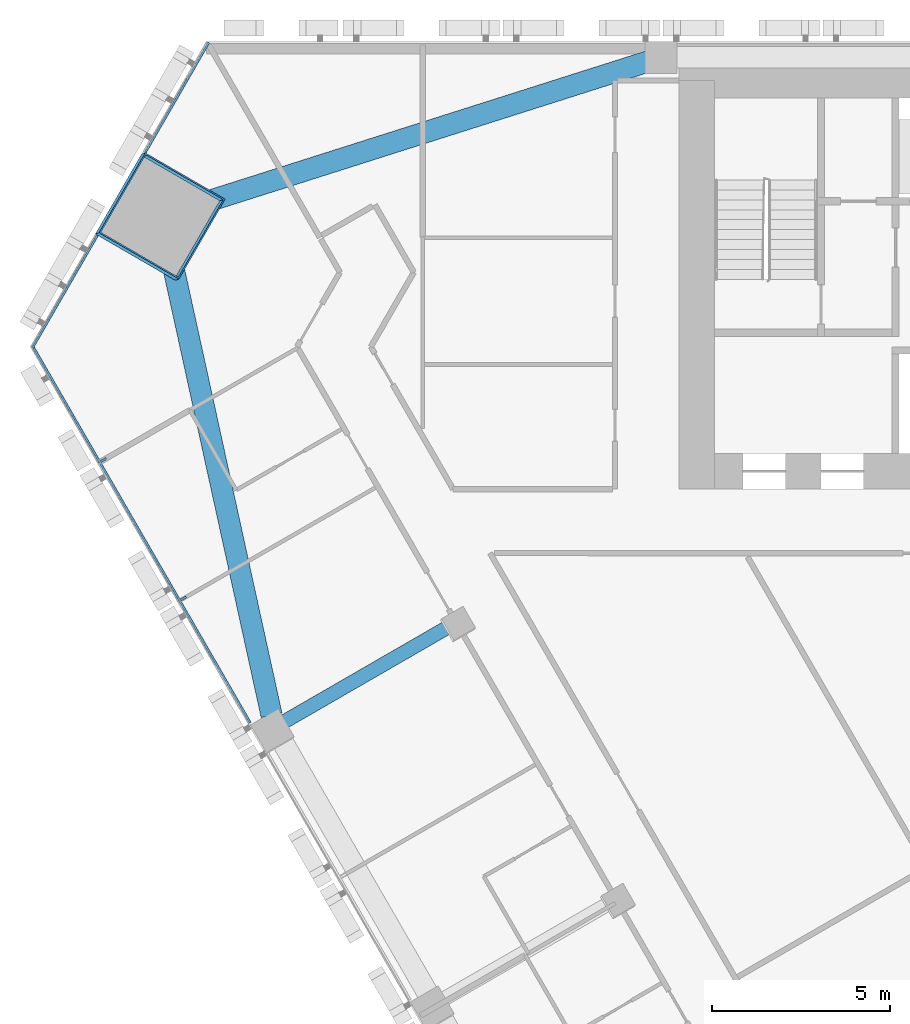
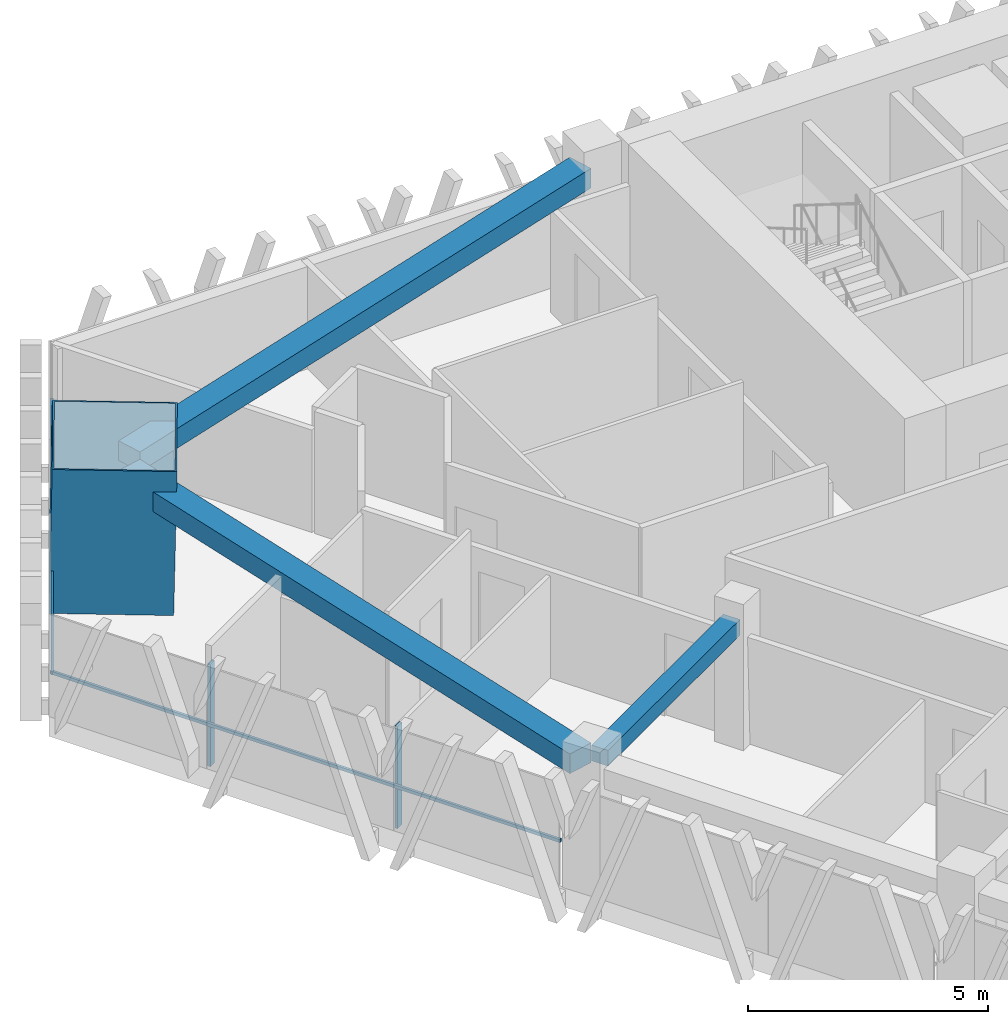
# One storey, part 6 of 17: 6 members, 3 beams, 2 elements without a shape of their own.
"""IFC4 building model written with IfcOpenShell, lengths in metres."""

from ifc_helpers import new_model, si_unit, direction, frame, origin, origin_2d, place, context, subcontext, project, spatial, rectangle, hollow_rectangle, extrude, material, layer, layer_set, material_profile, profile_set, type_object, element, aggregate, save


model = new_model("IFC4")

# Units and contexts
model_context = context("Model", 3, precision=1e-05, world=origin(), true_north=direction((0.0, 1.0)))
body_context = subcontext(model_context, "Body", "Model", "MODEL_VIEW")
ifc_project = project(units=[si_unit("LENGTHUNIT", "METRE"), si_unit("AREAUNIT", "SQUARE_METRE"), si_unit("VOLUMEUNIT", "CUBIC_METRE"), si_unit("PLANEANGLEUNIT", "RADIAN"), si_unit("MASSUNIT", "GRAM", prefix="KILO")], contexts=[model_context])

# Site, building, storey
site_placement = place(None, origin())
site = spatial("IfcSite", under=ifc_project, at=site_placement, CompositionType="ELEMENT")
building_placement = place(site_placement, origin())
building = spatial("IfcBuilding", under=site, at=building_placement, Name="Altiplano Prism Tower", CompositionType="ELEMENT")
storey_placement = place(building_placement, frame((0.0, 0.0, 30.60009765625)))
storey = spatial("IfcBuildingStorey", under=building, at=storey_placement, Name="L06", CompositionType="ELEMENT", Elevation=30.60009765625)

# Curtain wall, members
ifc_material_1 = material(Name="Aluminium and glass", Category="aluminium")
ifc_layer = layer(ifc_material_1, 0.280029296875)
ifc_layer_set = layer_set([ifc_layer], Name="Aluminium and glass")
curtain_wall_type = type_object("IfcCurtainWallType", Name="CW1 typical co-living unitised curtain wall", PredefinedType="NOTDEFINED", material=ifc_layer_set)
curtain_wall_1_placement = place(storey_placement, origin())
curtain_wall_1 = element("IfcCurtainWall", 1, at=curtain_wall_1_placement, inside=storey, type_object=curtain_wall_type, Name="CW1 curtain wall south-west face L06", PredefinedType="NOTDEFINED")
ifc_material_2 = material(Name="Aluminium", Category="aluminium")
ifc_material_profile_1 = material_profile(ifc_material_2, rectangle(XDim=0.179931640625, YDim=0.06494140625, at=origin_2d()), Name="CW1 mullion 65 x 180")
ifc_profile_set_1 = profile_set([ifc_material_profile_1], Name="Aluminium")
member_type_1 = type_object("IfcMemberType", Name="CW1 mullion 65 x 180", PredefinedType="MULLION", material=ifc_profile_set_1)
member_1_placement = place(storey_placement, frame((55.80810546875, 93.21923828125, 0.0), z_axis=(0.0, 0.0, 1.0), x_axis=(0.866025402886, 0.500000001557, 0.0)))
member_1 = element("IfcMember", 2, at=member_1_placement, type_object=member_type_1, Name="CW1 mullion", PredefinedType="MULLION", context=body_context, shape_type="SweptSolid", body=[
    extrude(rectangle(XDim=0.179931640625, YDim=0.06494140625, at=origin_2d()), origin(), (0.0, 0.0, 1.0), 2.599853515625),
])
member_2_placement = place(storey_placement, frame((58.05810546875, 89.322021484375, 0.0), z_axis=(0.0, 0.0, 1.0), x_axis=(0.866025402886, 0.500000001557, 0.0)))
member_2 = element("IfcMember", 3, at=member_2_placement, type_object=member_type_1, Name="CW1 mullion", PredefinedType="MULLION", context=body_context, shape_type="SweptSolid", body=[
    extrude(rectangle(XDim=0.179931640625, YDim=0.06494140625, at=origin_2d()), origin(), (0.0, 0.0, 1.0), 2.599853515625),
])

curtain_wall_2_placement = place(storey_placement, origin())
curtain_wall_2 = element("IfcCurtainWall", 4, at=curtain_wall_2_placement, inside=storey, type_object=curtain_wall_type, Name="CW1 curtain wall north-west chamfer L06", PredefinedType="NOTDEFINED")
ifc_material_profile_2 = material_profile(ifc_material_2, rectangle(XDim=0.06005859375, YDim=0.080078125, at=origin_2d()), Name="CW1 transom 80 x 60")
ifc_profile_set_2 = profile_set([ifc_material_profile_2], Name="Aluminium")
member_type_2 = type_object("IfcMemberType", Name="CW1 transom 80 x 60", PredefinedType="USERDEFINED", material=ifc_profile_set_2)
member_3_placement = place(storey_placement, frame((58.7705078125, 104.965087890625, 1.099853515625), z_axis=(-0.499987977232, -0.866032345022, 0.0), x_axis=(0.866032345022, -0.499987977232, 0.0)))
member_3 = element("IfcMember", 5, at=member_3_placement, type_object=member_type_2, Name="CW1 transom", ObjectType="TRANSOM", PredefinedType="USERDEFINED", context=body_context, shape_type="SweptSolid", body=[
    extrude(rectangle(XDim=0.06005859375, YDim=0.080078125, at=origin_2d()), origin(), (0.0, 0.0, 1.0), 3.58154296875),
])
member_4_placement = place(storey_placement, frame((55.639892578125, 99.54248046875, 1.099853515625), z_axis=(-0.499989866495, -0.866031254287, 0.0), x_axis=(0.866031254287, -0.499989866495, 0.0)))
member_4 = element("IfcMember", 6, at=member_4_placement, type_object=member_type_2, Name="CW1 transom", ObjectType="TRANSOM", PredefinedType="USERDEFINED", context=body_context, shape_type="SweptSolid", body=[
    extrude(rectangle(XDim=0.06005859375, YDim=0.080078125, at=origin_2d()), origin(), (0.0, 0.0, 1.0), 3.66162109375),
])
aggregate(curtain_wall_2, [member_3, member_4])

# Member
member_5_placement = place(storey_placement, frame((53.80908203125, 96.44140625, 1.099853515625), z_axis=(0.500006861528, -0.866021442243, 0.0), x_axis=(0.866021442243, 0.500006861528, 0.0)))
member_5 = element("IfcMember", 7, at=member_5_placement, type_object=member_type_2, Name="CW1 transom", ObjectType="TRANSOM", PredefinedType="USERDEFINED", context=body_context, shape_type="SweptSolid", body=[
    extrude(rectangle(XDim=0.06005859375, YDim=0.080078125, at=origin_2d()), origin(), (0.0, 0.0, 1.0), 12.260498046875),
])

aggregate(curtain_wall_1, [member_1, member_2, member_5])

# Beams
ifc_material_3 = material(Name="Concrete C60/75", Category="concrete")
ifc_material_profile_3 = material_profile(ifc_material_3, rectangle(XDim=0.60009765625, YDim=0.5, at=origin_2d()), Name="Edge beam 600x500")
ifc_profile_set_3 = profile_set([ifc_material_profile_3], Name="Concrete C60/75")
beam_type_1 = type_object("IfcBeamType", Name="Edge beam 600x500", PredefinedType="SPANDREL", material=ifc_profile_set_3)
beam_1_placement = place(storey_placement, frame((71.164306640625, 104.443359375, 2.849853515625), z_axis=(-0.95301663916, -0.302917951738, 0.0), x_axis=(0.302917951738, -0.95301663916, 0.0)))
element("IfcBeam", 8, at=beam_1_placement, inside=storey, type_object=beam_type_1, Name="Edge beam P04-M0 L07", PredefinedType="SPANDREL", context=body_context, shape_type="SweptSolid", body=[
    extrude(rectangle(XDim=0.60009765625, YDim=0.5, at=origin_2d()), origin(), (0.0, 0.0, 1.0), 13.9326171875),
])
beam_2_placement = place(storey_placement, frame((57.5537109375, 99.64697265625, 2.849853515625), z_axis=(0.214178143298, -0.976794616556, 0.0), x_axis=(0.976794616556, 0.214178143298, 0.0)))
element("IfcBeam", 9, at=beam_2_placement, inside=storey, type_object=beam_type_1, Name="Edge beam M0-P11 L07", PredefinedType="SPANDREL", context=body_context, shape_type="SweptSolid", body=[
    extrude(rectangle(XDim=0.60009765625, YDim=0.5, at=origin_2d()), origin(), (0.0, 0.0, 1.0), 13.932861328125),
])

# Member
ifc_material_4 = material(Name="Steel S460", Category="steel")
ifc_material_profile_4 = material_profile(ifc_material_4, hollow_rectangle(XDim=2.60009765625, YDim=2.60009765625, WallThickness=0.0400390625, at=origin_2d()), Name="Mega column tube 2600")
ifc_profile_set_4 = profile_set([ifc_material_profile_4], Name="Steel S460")
member_type_3 = type_object("IfcMemberType", Name="Mega column tube 2600", PredefinedType="POST", material=ifc_profile_set_4)
member_6_placement = place(storey_placement, frame((57.35498046875, 100.05322265625, 0.0), z_axis=(0.028403739082, 0.009219352065, 0.999554016126), x_axis=(-0.865122960307, 0.501162461288, 0.019961236055)))
element("IfcMember", 10, at=member_6_placement, inside=storey, type_object=member_type_3, Name="Mega column tube M0 L06", PredefinedType="POST", context=body_context, shape_type="SweptSolid", body=[
    extrude(hollow_rectangle(XDim=2.60009765625, YDim=2.60009765625, WallThickness=0.0400390625, at=origin_2d()), origin(), (0.0, 0.0, 1.0), 3.6015625),
])

# Beam
ifc_material_profile_5 = material_profile(ifc_material_3, rectangle(XDim=0.39990234375, YDim=0.39990234375, at=origin_2d()), Name="Tie beam 400x400")
ifc_profile_set_5 = profile_set([ifc_material_profile_5], Name="Concrete C60/75")
beam_type_2 = type_object("IfcBeamType", Name="Tie beam 400x400", PredefinedType="BEAM", material=ifc_profile_set_5)
beam_3_placement = place(storey_placement, frame((65.6533203125, 88.603515625, 2.89990234375), z_axis=(-0.866012292785, -0.50002270823, 0.0), x_axis=(0.50002270823, -0.866012292785, 0.0)))
element("IfcBeam", 11, at=beam_3_placement, inside=storey, type_object=beam_type_2, Name="Tie beam I11 L07", PredefinedType="BEAM", context=body_context, shape_type="SweptSolid", body=[
    extrude(rectangle(XDim=0.39990234375, YDim=0.39990234375, at=origin_2d()), origin(), (0.0, 0.0, 1.0), 5.489990234375),
])

save(model, "model.ifc")
